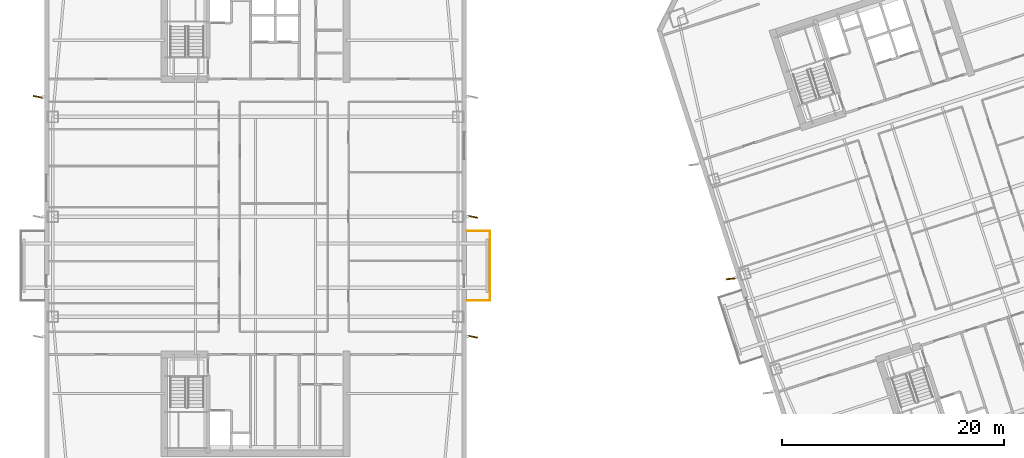
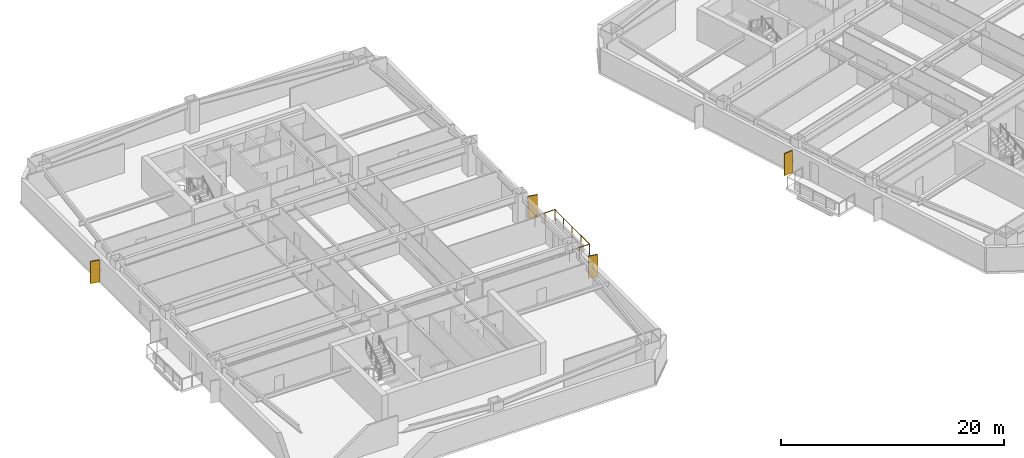
# One storey, part 13 of 16: 4 shading devices, 1 railing.
"""IFC4 building model written with IfcOpenShell, lengths in metres."""

from ifc_helpers import new_model, si_unit, direction, frame, origin, origin_2d, place, context, subcontext, project, spatial, rectangle, circle, extrude, material, layer, layer_set, type_object, element, save


model = new_model("IFC4")

# Units and contexts
model_context = context("Model", 3, precision=1e-05, world=origin(), true_north=direction((0.0, 1.0)))
body_context = subcontext(model_context, "Body", "Model", "MODEL_VIEW")
ifc_project = project(units=[si_unit("LENGTHUNIT", "METRE"), si_unit("AREAUNIT", "SQUARE_METRE"), si_unit("VOLUMEUNIT", "CUBIC_METRE"), si_unit("PLANEANGLEUNIT", "RADIAN"), si_unit("MASSUNIT", "GRAM", prefix="KILO")], contexts=[model_context])

# Site, building, storey
site_placement = place(None, origin())
site = spatial("IfcSite", under=ifc_project, at=site_placement, CompositionType="ELEMENT")
building_placement = place(site_placement, origin())
building = spatial("IfcBuilding", under=site, at=building_placement, Name="Qiaolan Cultural Towers", CompositionType="ELEMENT")
storey_placement = place(building_placement, frame((0.0, 0.0, 110.39990234375)))
storey = spatial("IfcBuildingStorey", under=building, at=storey_placement, Name="L28", CompositionType="ELEMENT", Elevation=110.39990234375)

# Railing
ifc_material_1 = material(Name="Laminated SentryGlas & Stainless Steel S31608 Balustrade", Category="steel")
railing_type = type_object("IfcRailingType", Name="GRD-TERR-1200", PredefinedType="BALUSTRADE", material=ifc_material_1)
railing_placement = place(storey_placement, frame((49.050048828125, 26.47998046875, 0.0)))
element("IfcRailing", 1, at=railing_placement, inside=storey, type_object=railing_type, Name="L28 T1 Tree Balcony Guardrail E", PredefinedType="BALUSTRADE", context=body_context, shape_type="SweptSolid", body=[
    extrude(circle(Radius=0.02392578125, at=origin_2d()), frame((0.0, 0.0, 1.17578125), z_axis=(1.0, 0.0, 0.0), x_axis=(0.0, 1.0, 0.0)), (0.0, 0.0, 1.0), 2.070068359375),
    extrude(circle(Radius=0.02392578125, at=origin_2d()), frame((2.070068359375, 0.0, 1.17578125), z_axis=(0.0, 1.0, 0.0), x_axis=(-1.0, 0.0, 0.0)), (0.0, 0.0, 1.0), 6.239990234375),
    extrude(circle(Radius=0.02392578125, at=origin_2d()), frame((2.070068359375, 6.239990234375, 1.17578125), z_axis=(-1.0, 0.0, 0.0), x_axis=(0.0, -1.0, 0.0)), (0.0, 0.0, 1.0), 2.070068359375),
    extrude(circle(Radius=0.02099609375, at=origin_2d()), origin(), (0.0, 0.0, 1.0), 1.15185546875),
    extrude(circle(Radius=0.02099609375, at=origin_2d()), frame((1.03515625, 0.0, 0.0)), (0.0, 0.0, 1.0), 1.15185546875),
    extrude(circle(Radius=0.02099609375, at=origin_2d()), frame((2.070068359375, 0.0, 0.0)), (0.0, 0.0, 1.0), 1.15185546875),
    extrude(circle(Radius=0.02099609375, at=origin_2d()), frame((2.070068359375, 1.56005859375, 0.0)), (0.0, 0.0, 1.0), 1.15185546875),
    extrude(circle(Radius=0.02099609375, at=origin_2d()), frame((2.070068359375, 3.1201171875, 0.0)), (0.0, 0.0, 1.0), 1.15185546875),
    extrude(circle(Radius=0.02099609375, at=origin_2d()), frame((2.070068359375, 4.679931640625, 0.0)), (0.0, 0.0, 1.0), 1.15185546875),
    extrude(circle(Radius=0.02099609375, at=origin_2d()), frame((2.070068359375, 6.239990234375, 0.0)), (0.0, 0.0, 1.0), 1.15185546875),
    extrude(circle(Radius=0.02099609375, at=origin_2d()), frame((1.03515625, 6.239990234375, 0.0)), (0.0, 0.0, 1.0), 1.15185546875),
    extrude(circle(Radius=0.02099609375, at=origin_2d()), frame((0.0, 6.239990234375, 0.0)), (0.0, 0.0, 1.0), 1.15185546875),
])

# Shading devices
ifc_material_2 = material(Name="Pierced Warm Terracotta Acoustic Fin", Category="masonry")
ifc_layer = layer(ifc_material_2, 0.1201171875)
ifc_layer_set = layer_set([ifc_layer], Name="Pierced Warm Terracotta Acoustic Fin")
shading_device_type = type_object("IfcShadingDeviceType", Name="SHD-FIN-PIERCED", PredefinedType="USERDEFINED", material=ifc_layer_set)
for number, where, z_axis, x_axis, name in (
    (2, (10.43994140625, 44.800048828125, 0.10009765625), (0.0, 0.0, 1.0), (0.979957166978, -0.19920831029, 0.0), "L28 T1 Expressive Precast Vertical Fin W3"),
    (3, (49.56005859375, 23.199951171875, 0.10009765625), (0.0, 0.0, 1.0), (0.979957166978, -0.19920831029, 0.0), "L28 T1 Expressive Precast Vertical Fin E1"),
    (4, (49.56005859375, 34.0, 0.10009765625), (0.0, 0.0, 1.0), (0.979957166978, -0.19920831029, 0.0), "L28 T1 Expressive Precast Vertical Fin E2"),
    (5, (72.823974609375, 28.419189453125, 0.10009765625), (0.0, 0.0, 1.0), (0.993553402645, 0.113365056754, 0.0), "L28 T2 Expressive Precast Vertical Fin W2"),
):
    element("IfcShadingDevice", number, at=place(storey_placement, frame(where, z_axis=z_axis, x_axis=x_axis)), inside=storey, type_object=shading_device_type, Name=name, ObjectType="FIN", PredefinedType="USERDEFINED", context=body_context, shape_type="SweptSolid", body=[
        extrude(rectangle(XDim=0.89990234375, YDim=0.1201171875, at=origin_2d()), origin(), (0.0, 0.0, 1.0), 2.409912109375),
    ])

save(model, "model.ifc")
